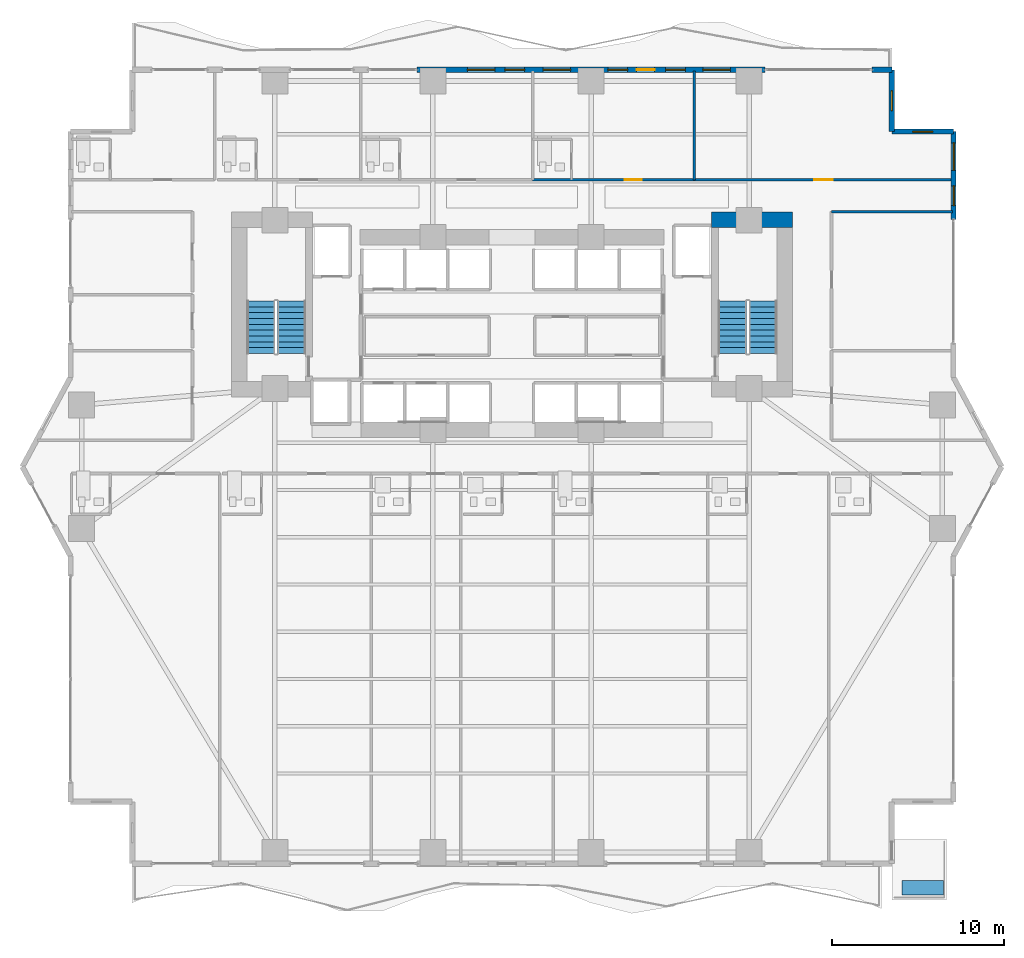
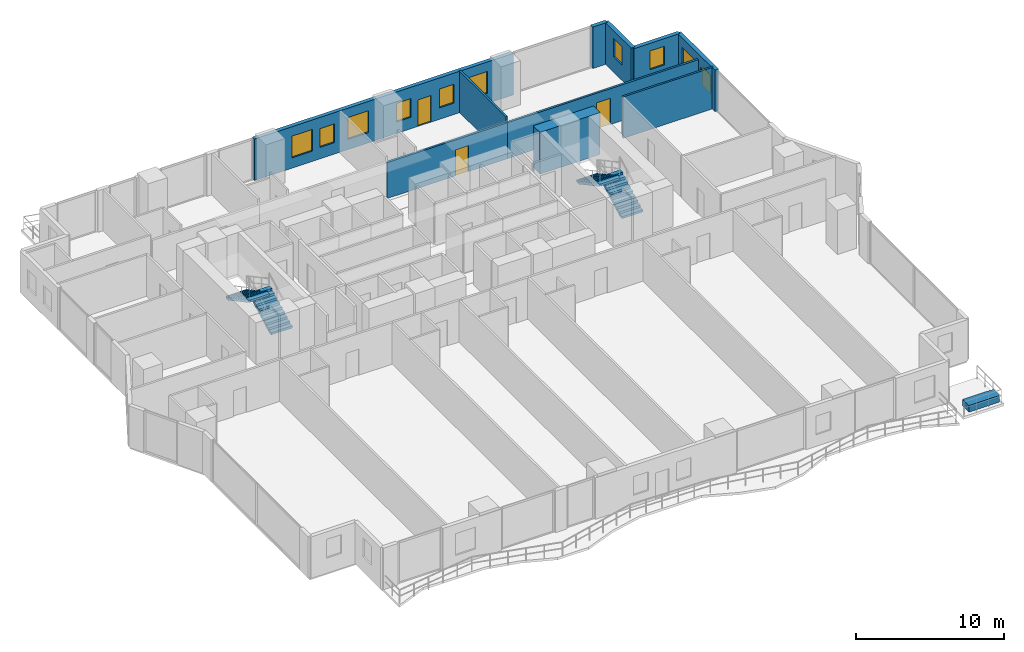
# One storey, part 22 of 29: 10 walls, 10 windows, 4 stair flights, 3 doors, 1 building element part, 13 openings, 2 elements without a shape of their own.
"""IFC4 building model written with IfcOpenShell, lengths in metres."""

import ifcopenshell
import ifcopenshell.guid

model = None  # the IFC model being written
_history = None  # IfcOwnerHistory: only IFC2X3 demands one
_inside = {}  # id of a spatial element -> (the spatial element, [elements in it])
_under = {}  # id of a project, library or spatial element -> (it, [spatial elements below it])
_declared = {}  # id of a project -> (the project, [libraries it declares])
_typed = {}  # id of a type object -> (the type object, [elements of that type])
_made_of = {}  # id of a material, layer set ... -> (it, [elements and type objects made of it])


def new_model(schema):
    """Start an empty IFC model of exactly this schema.

    Asked for "IFC4X3", IfcOpenShell would pick the latest addendum, in which some entities
    have other attributes; the version numbers below select the first issue.
    IFC2X3 requires an IfcOwnerHistory on every rooted entity: one is made here for all.
    """
    global model, _history
    if schema == "IFC4X3":
        model = ifcopenshell.file(schema_version=(4, 3, 0, 0))
    else:
        model = ifcopenshell.file(schema=schema)
    _inside.clear()
    _under.clear()
    _declared.clear()
    _typed.clear()
    _made_of.clear()
    _history = None
    if model.schema == "IFC2X3":
        org = make("IfcOrganization", Name="unknown")
        user = make(
            "IfcPersonAndOrganization",
            ThePerson=make("IfcPerson", FamilyName="unknown"),
            TheOrganization=org,
        )
        app = make(
            "IfcApplication",
            ApplicationDeveloper=org,
            Version="unknown",
            ApplicationFullName="unknown",
            ApplicationIdentifier="unknown",
        )
        _history = make(
            "IfcOwnerHistory",
            OwningUser=user,
            OwningApplication=app,
            ChangeAction="ADDED",
            CreationDate=0,
        )
    return model


def make(cls, **values):
    """One entity of the class cls with the attributes given. An attribute that is None is left unset."""
    return model.create_entity(
        cls, **{name: value for name, value in values.items() if value is not None}
    )


def rooted(cls, **values):
    """An entity with a GlobalId (a new one), such as an element, a storey or a relation."""
    return make(cls, GlobalId=ifcopenshell.guid.new(), OwnerHistory=_history, **values)


def si_unit(unit_type, name, prefix=None):
    """IfcSIUnit, for example si_unit("LENGTHUNIT", "METRE", prefix="MILLI")."""
    return make("IfcSIUnit", UnitType=unit_type, Prefix=prefix, Name=name)


def assignment(units):
    """IfcUnitAssignment: the units of a project."""
    return None if units is None else make("IfcUnitAssignment", Units=units)


def point(xyz):
    """IfcCartesianPoint."""
    return None if xyz is None else make("IfcCartesianPoint", Coordinates=xyz)


def direction(xyz):
    """IfcDirection."""
    return None if xyz is None else make("IfcDirection", DirectionRatios=xyz)


def frame(location, z_axis=None, x_axis=None):
    """IfcAxis2Placement3D, a coordinate frame: its origin and axes. An axis left out is left unset."""
    return make(
        "IfcAxis2Placement3D",
        Location=point(location),
        Axis=direction(z_axis),
        RefDirection=direction(x_axis),
    )


def frame_2d(location, x_axis=None):
    """IfcAxis2Placement2D, a coordinate frame in the plane: its origin and x axis."""
    return make(
        "IfcAxis2Placement2D", Location=point(location), RefDirection=direction(x_axis)
    )


def origin():
    """The frame at (0, 0, 0) with its axes left unset."""
    return frame((0.0, 0.0, 0.0))


def origin_2d():
    """The frame at (0, 0) in the plane with its x axis left unset."""
    return frame_2d((0.0, 0.0))


def place(relative_to, where):
    """IfcLocalPlacement: puts the frame where relative to a parent placement (None: the world)."""
    return make(
        "IfcLocalPlacement", PlacementRelTo=relative_to, RelativePlacement=where
    )


def context(
    kind, dimensions, precision=None, world=None, true_north=None, identifier=None
):
    """IfcGeometricRepresentationContext, for example the 3D "Model" context."""
    return make(
        "IfcGeometricRepresentationContext",
        ContextIdentifier=identifier,
        ContextType=kind,
        CoordinateSpaceDimension=dimensions,
        Precision=precision,
        WorldCoordinateSystem=world,
        TrueNorth=true_north,
    )


def subcontext(parent, identifier, kind, view, scale=None):
    """IfcGeometricRepresentationSubContext, for example "Body" below "Model"."""
    return make(
        "IfcGeometricRepresentationSubContext",
        ContextIdentifier=identifier,
        ContextType=kind,
        ParentContext=parent,
        TargetScale=scale,
        TargetView=view,
    )


def project(units=None, contexts=None):
    """IfcProject with its units and contexts."""
    return rooted(
        "IfcProject",
        Name="project",
        RepresentationContexts=contexts,
        UnitsInContext=assignment(units),
    )


def spatial(cls, under=None, at=None, **own):
    """A site, building, storey or space (cls), placed at a placement, below another one or the project."""
    s = rooted(cls, ObjectPlacement=at, **own)
    if under is not None:
        _under.setdefault(under.id(), (under, []))[1].append(s)
    return s


def polyline(points):
    """IfcPolyline through the points."""
    return make("IfcPolyline", Points=[point(p) for p in points])


def profile(cls, at=None, kind="AREA", **sizes):
    """A parametric profile (cls). Its sizes go by their IFC names, for example OverallWidth=200.0."""
    return make(cls, ProfileType=kind, Position=at, **sizes)


def rectangle(**sizes):
    """IfcRectangleProfileDef."""
    return profile("IfcRectangleProfileDef", **sizes)


def outline(outer, holes=None, kind="AREA"):
    """IfcArbitraryClosedProfileDef: a profile drawn as a closed curve; with holes, ...WithVoids."""
    if holes is None:
        return make("IfcArbitraryClosedProfileDef", ProfileType=kind, OuterCurve=outer)
    return make(
        "IfcArbitraryProfileDefWithVoids",
        ProfileType=kind,
        OuterCurve=outer,
        InnerCurves=holes,
    )


def extrude(swept, where, along, depth):
    """IfcExtrudedAreaSolid: the profile swept, set in the frame where, extruded along a direction by depth."""
    return make(
        "IfcExtrudedAreaSolid",
        SweptArea=swept,
        Position=where,
        ExtrudedDirection=direction(along),
        Depth=depth,
    )


def shape(context_of_items, identifier, shape_type, items):
    """IfcShapeRepresentation: the items that make up one representation, for example the "Body"."""
    return make(
        "IfcShapeRepresentation",
        ContextOfItems=context_of_items,
        RepresentationIdentifier=identifier,
        RepresentationType=shape_type,
        Items=items,
    )


def material(Name=None, Category=None):
    """IfcMaterial."""
    return make("IfcMaterial", Name=Name, Category=Category)


def layer(
    of_material, thickness, ventilated=None, Name=None, Category=None, Priority=None
):
    """IfcMaterialLayer: one layer of a wall or slab, of a material (None: an air gap)."""
    return make(
        "IfcMaterialLayer",
        Material=of_material,
        LayerThickness=thickness,
        IsVentilated=ventilated,
        Name=Name,
        Category=Category,
        Priority=Priority,
    )


def layer_set(layers, Name=None):
    """IfcMaterialLayerSet."""
    return make("IfcMaterialLayerSet", MaterialLayers=layers, LayerSetName=Name)


def made_of(thing, what):
    """Note that an element or type object is made of a material, layer set ...; save() writes the relation."""
    if what is not None:
        _made_of.setdefault(what.id(), (what, []))[1].append(thing)
    return thing


def type_object(cls, material=None, **own):
    """A type object (cls), such as IfcWallType, which elements share."""
    return made_of(rooted(cls, **own), material)


def element(
    cls,
    number,
    at=None,
    inside=None,
    cuts=None,
    type_object=None,
    material=None,
    context=None,
    identifier="Body",
    shape_type=None,
    held_by="IfcProductDefinitionShape",
    body=None,
    shapes=None,
    **own,
):
    """One element of the class cls, such as IfcWall. Its Tag is "e" and its number.

    at: its placement. inside: the storey or other place that contains it. cuts: it is an
    opening in that element (IfcRelVoidsElement). A single representation is given by context,
    identifier, shape_type and body (its items); several are given by shapes. held_by: the class
    of the entity that holds the representations. save() writes the other relations.
    """
    e = rooted(cls, Tag="e%d" % number, ObjectPlacement=at, **own)
    if body is not None:
        shapes = [shape(context, identifier, shape_type, body)]
    if shapes is not None:
        e.Representation = make(held_by, Representations=shapes)
    if inside is not None:
        _inside.setdefault(inside.id(), (inside, []))[1].append(e)
    if cuts is not None:
        rooted(
            "IfcRelVoidsElement", RelatingBuildingElement=cuts, RelatedOpeningElement=e
        )
    if type_object is not None:
        _typed.setdefault(type_object.id(), (type_object, []))[1].append(e)
    return made_of(e, material)


def fill(opening, filler):
    """IfcRelFillsElement: the door or window that sits in an opening."""
    return rooted(
        "IfcRelFillsElement",
        RelatingOpeningElement=opening,
        RelatedBuildingElement=filler,
    )


def aggregate(whole, parts):
    """IfcRelAggregates: a whole, such as a stair, and the parts it consists of."""
    return rooted("IfcRelAggregates", RelatingObject=whole, RelatedObjects=parts)


def save(model, path):
    """Write the relations noted so far, then the file.

    IfcRelAggregates (storeys below a building ...), IfcRelContainedInSpatialStructure (elements
    in a storey), IfcRelDefinesByType, IfcRelAssociatesMaterial and IfcRelDeclares: one each for
    every whole, place, type object, material and project.
    """
    for whole, parts in _under.values():
        aggregate(whole, parts)
    for where, things in _inside.values():
        rooted(
            "IfcRelContainedInSpatialStructure",
            RelatedElements=things,
            RelatingStructure=where,
        )
    for kind, things in _typed.values():
        rooted("IfcRelDefinesByType", RelatedObjects=things, RelatingType=kind)
    for what, things in _made_of.values():
        rooted("IfcRelAssociatesMaterial", RelatedObjects=things, RelatingMaterial=what)
    for by, libraries in _declared.values():
        rooted("IfcRelDeclares", RelatingContext=by, RelatedDefinitions=libraries)
    model.write(path)


model = new_model("IFC4")

# Units and contexts
model_context = context("Model", 3, precision=1e-05, world=origin(), true_north=direction((0.0, 1.0)))
body_context = subcontext(model_context, "Body", "Model", "MODEL_VIEW")
ifc_project = project(units=[si_unit("LENGTHUNIT", "METRE"), si_unit("AREAUNIT", "SQUARE_METRE"), si_unit("VOLUMEUNIT", "CUBIC_METRE"), si_unit("PLANEANGLEUNIT", "RADIAN"), si_unit("MASSUNIT", "GRAM", prefix="KILO")], contexts=[model_context])

# Site, building, storey
site_placement = place(None, origin())
site = spatial("IfcSite", under=ifc_project, at=site_placement, CompositionType="ELEMENT")
building_placement = place(site_placement, origin())
building = spatial("IfcBuilding", under=site, at=building_placement, Name="Zuhayl Quay Hotel", CompositionType="ELEMENT")
storey_placement = place(building_placement, frame((0.0, 0.0, 45.85009765625)))
storey = spatial("IfcBuildingStorey", under=building, at=storey_placement, Name="L10", CompositionType="ELEMENT", Elevation=45.85009765625)

# Wall
ifc_material_1 = material(Name="Concrete C70/85", Category="concrete")
ifc_layer_1 = layer(ifc_material_1, 0.89990234375, Name="Concrete C70/85", Category="concrete")
ifc_layer_set_1 = layer_set([ifc_layer_1], Name="Concrete C70/85")
wall_type_1 = type_object("IfcWallType", Name="WL_CORE_900", PredefinedType="SHEAR", material=ifc_layer_set_1)
wall_1_placement = place(storey_placement, frame((11.60009765625, 14.3798828125, 0.0), z_axis=(0.0, 0.0, 1.0), x_axis=(1.0, 0.0, 0.0)))
element("IfcWall", 1, at=wall_1_placement, inside=storey, type_object=wall_type_1, Name="L10 Core Shear Wall CW_NE", PredefinedType="SHEAR", context=body_context, shape_type="SweptSolid", body=[
    extrude(rectangle(XDim=4.7099609375, YDim=0.89990234375, at=frame_2d((2.35498046875, 0.0))), origin(), (0.0, 0.0, 1.0), 3.4599609375),
])

# Wall, openings, door, windows
ifc_material_2 = material(Name="Precast concrete C45/55", Category="concrete")
ifc_layer_2 = layer(ifc_material_2, 0.300048828125, Name="Precast concrete C45/55", Category="concrete")
ifc_layer_set_2 = layer_set([ifc_layer_2], Name="Precast concrete C45/55")
wall_type_2 = type_object("IfcWallType", Name="WL_EXT_300", PredefinedType="STANDARD", material=ifc_layer_set_2)
wall_2_placement = place(storey_placement, frame((-5.52001953125, 23.10009765625, 0.0), z_axis=(0.0, 0.0, 1.0), x_axis=(1.0, 0.0, 0.0)))
wall_2 = element("IfcWall", 2, at=wall_2_placement, inside=storey, type_object=wall_type_2, Name="L10 Exterior Precast Wall ENV_L10_N_EW5", PredefinedType="STANDARD", context=body_context, shape_type="SweptSolid", body=[
    extrude(rectangle(XDim=20.239990234375, YDim=0.300048828125, at=frame_2d((10.1201171875, 0.0))), origin(), (0.0, 0.0, 1.0), 3.429931640625),
])
opening_1_placement = place(wall_2_placement, frame((12.77490234375, 0.0, 0.0)))
opening_1 = element("IfcOpeningElement", 3, at=opening_1_placement, cuts=wall_2, Name="Opening DG1", PredefinedType="OPENING", context=body_context, shape_type="SweptSolid", body=[
    extrude(rectangle(XDim=1.050048828125, YDim=2.199951171875, at=frame_2d((0.52490234375, 1.10009765625))), frame((0.0, 0.159912109375, 0.0), z_axis=(0.0, -1.0, 0.0), x_axis=(1.0, 0.0, 0.0)), (0.0, 0.0, 1.0), 0.320068359375),
])
opening_2_placement = place(wall_2_placement, frame((2.919921875, 0.0, 0.85009765625)))
opening_2 = element("IfcOpeningElement", 4, at=opening_2_placement, cuts=wall_2, Name="Opening W01", PredefinedType="OPENING", context=body_context, shape_type="SweptSolid", body=[
    extrude(rectangle(XDim=1.60009765625, YDim=1.800048828125, at=frame_2d((0.800048828125, 0.89990234375))), frame((0.0, 0.159912109375, 0.0), z_axis=(0.0, -1.0, 0.0), x_axis=(1.0, 0.0, 0.0)), (0.0, 0.0, 1.0), 0.320068359375),
])
opening_3_placement = place(wall_2_placement, frame((5.110107421875, 0.0, 0.949951171875)))
opening_3 = element("IfcOpeningElement", 5, at=opening_3_placement, cuts=wall_2, Name="Opening W01N", PredefinedType="OPENING", context=body_context, shape_type="SweptSolid", body=[
    extrude(rectangle(XDim=1.14990234375, YDim=1.550048828125, at=frame_2d((0.574951171875, 0.77490234375))), frame((0.0, 0.159912109375, 0.0), z_axis=(0.0, -1.0, 0.0), x_axis=(1.0, 0.0, 0.0)), (0.0, 0.0, 1.0), 0.320068359375),
])
opening_4_placement = place(wall_2_placement, frame((7.330078125, 0.0, 0.85009765625)))
opening_4 = element("IfcOpeningElement", 6, at=opening_4_placement, cuts=wall_2, Name="Opening W01", PredefinedType="OPENING", context=body_context, shape_type="SweptSolid", body=[
    extrude(rectangle(XDim=1.60009765625, YDim=1.800048828125, at=frame_2d((0.800048828125, 0.89990234375))), frame((0.0, 0.159912109375, 0.0), z_axis=(0.0, -1.0, 0.0), x_axis=(1.0, 0.0, 0.0)), (0.0, 0.0, 1.0), 0.320068359375),
])
opening_5_placement = place(wall_2_placement, frame((11.097412109375, 0.0, 0.949951171875)))
opening_5 = element("IfcOpeningElement", 7, at=opening_5_placement, cuts=wall_2, Name="Opening W01N", PredefinedType="OPENING", context=body_context, shape_type="SweptSolid", body=[
    extrude(rectangle(XDim=1.14990234375, YDim=1.550048828125, at=frame_2d((0.574951171875, 0.77490234375))), frame((0.0, 0.159912109375, 0.0), z_axis=(0.0, -1.0, 0.0), x_axis=(1.0, 0.0, 0.0)), (0.0, 0.0, 1.0), 0.320068359375),
])
opening_6_placement = place(wall_2_placement, frame((14.46240234375, 0.0, 0.949951171875)))
opening_6 = element("IfcOpeningElement", 8, at=opening_6_placement, cuts=wall_2, Name="Opening W01N", PredefinedType="OPENING", context=body_context, shape_type="SweptSolid", body=[
    extrude(rectangle(XDim=1.14990234375, YDim=1.550048828125, at=frame_2d((0.574951171875, 0.77490234375))), frame((0.0, 0.159912109375, 0.0), z_axis=(0.0, -1.0, 0.0), x_axis=(1.0, 0.0, 0.0)), (0.0, 0.0, 1.0), 0.320068359375),
])
opening_7_placement = place(wall_2_placement, frame((16.6298828125, 0.0, 0.85009765625)))
opening_7 = element("IfcOpeningElement", 9, at=opening_7_placement, cuts=wall_2, Name="Opening W01", PredefinedType="OPENING", context=body_context, shape_type="SweptSolid", body=[
    extrude(rectangle(XDim=1.60009765625, YDim=1.800048828125, at=frame_2d((0.800048828125, 0.89990234375))), frame((0.0, 0.159912109375, 0.0), z_axis=(0.0, -1.0, 0.0), x_axis=(1.0, 0.0, 0.0)), (0.0, 0.0, 1.0), 0.320068359375),
])
ifc_material_3 = material(Name="Anodised Aluminium and Dark Solar Glass", Category="aluminium")
door_type_1 = type_object("IfcDoorType", Name="DR_EXT_TERR_1050", OperationType="NOTDEFINED", PredefinedType="DOOR", material=ifc_material_3)
door_1_placement = place(opening_1_placement, origin())
door_1 = element("IfcDoor", 10, at=door_1_placement, inside=storey, type_object=door_type_1, Name="L10 North Rippling Balcony Door", OperationType="SINGLE_SWING_LEFT", OverallHeight=2.199951171875, OverallWidth=1.050048828125, PredefinedType="DOOR", context=body_context, shape_type="SweptSolid", body=[
    extrude(rectangle(XDim=1.050048828125, YDim=2.199951171875, at=frame_2d((0.52490234375, 1.10009765625))), frame((0.0, 0.02490234375, 0.0), z_axis=(0.0, -1.0, 0.0), x_axis=(1.0, 0.0, 0.0)), (0.0, 0.0, 1.0), 0.050048828125),
])
fill(opening_1, door_1)
ifc_material_4 = material(Name="Dark Ceramic-Fritted Solar Glass", Category="glass")
window_type_1 = type_object("IfcWindowType", Name="WN_NOTCH_1350", PartitioningType="SINGLE_PANEL", PredefinedType="WINDOW", material=ifc_material_4)
window_1_placement = place(opening_3_placement, origin())
window_1 = element("IfcWindow", 11, at=window_1_placement, inside=storey, type_object=window_type_1, Name="L10 Operable Facade Window 5-1", OverallHeight=1.550048828125, OverallWidth=1.14990234375, PartitioningType="SINGLE_PANEL", PredefinedType="WINDOW", context=body_context, shape_type="SweptSolid", body=[
    extrude(rectangle(XDim=1.14990234375, YDim=1.550048828125, at=frame_2d((0.574951171875, 0.77490234375))), frame((0.0, 0.030029296875, 0.0), z_axis=(0.0, -1.0, 0.0), x_axis=(1.0, 0.0, 0.0)), (0.0, 0.0, 1.0), 0.06005859375),
])
fill(opening_3, window_1)
window_2_placement = place(opening_5_placement, origin())
window_2 = element("IfcWindow", 12, at=window_2_placement, inside=storey, type_object=window_type_1, Name="L10 Operable Facade Window 5-3", OverallHeight=1.550048828125, OverallWidth=1.14990234375, PartitioningType="SINGLE_PANEL", PredefinedType="WINDOW", context=body_context, shape_type="SweptSolid", body=[
    extrude(rectangle(XDim=1.14990234375, YDim=1.550048828125, at=frame_2d((0.574951171875, 0.77490234375))), frame((0.0, 0.030029296875, 0.0), z_axis=(0.0, -1.0, 0.0), x_axis=(1.0, 0.0, 0.0)), (0.0, 0.0, 1.0), 0.06005859375),
])
fill(opening_5, window_2)
window_3_placement = place(opening_6_placement, origin())
window_3 = element("IfcWindow", 13, at=window_3_placement, inside=storey, type_object=window_type_1, Name="L10 Operable Facade Window 5-4", OverallHeight=1.550048828125, OverallWidth=1.14990234375, PartitioningType="SINGLE_PANEL", PredefinedType="WINDOW", context=body_context, shape_type="SweptSolid", body=[
    extrude(rectangle(XDim=1.14990234375, YDim=1.550048828125, at=frame_2d((0.574951171875, 0.77490234375))), frame((0.0, 0.030029296875, 0.0), z_axis=(0.0, -1.0, 0.0), x_axis=(1.0, 0.0, 0.0)), (0.0, 0.0, 1.0), 0.06005859375),
])
fill(opening_6, window_3)
window_type_2 = type_object("IfcWindowType", Name="WN_OPERABLE_1600", PartitioningType="DOUBLE_PANEL_VERTICAL", PredefinedType="WINDOW", material=ifc_material_4)
window_4_placement = place(opening_2_placement, origin())
window_4 = element("IfcWindow", 14, at=window_4_placement, inside=storey, type_object=window_type_2, Name="L10 North Operable Casement Window", OverallHeight=1.800048828125, OverallWidth=1.60009765625, PartitioningType="SINGLE_PANEL", PredefinedType="WINDOW", context=body_context, shape_type="SweptSolid", body=[
    extrude(rectangle(XDim=1.60009765625, YDim=1.800048828125, at=frame_2d((0.800048828125, 0.89990234375))), frame((0.0, 0.030029296875, 0.0), z_axis=(0.0, -1.0, 0.0), x_axis=(1.0, 0.0, 0.0)), (0.0, 0.0, 1.0), 0.06005859375),
])
fill(opening_2, window_4)
window_5_placement = place(opening_4_placement, origin())
window_5 = element("IfcWindow", 15, at=window_5_placement, inside=storey, type_object=window_type_2, Name="L10 Operable Facade Window 5-2", OverallHeight=1.800048828125, OverallWidth=1.60009765625, PartitioningType="SINGLE_PANEL", PredefinedType="WINDOW", context=body_context, shape_type="SweptSolid", body=[
    extrude(rectangle(XDim=1.60009765625, YDim=1.800048828125, at=frame_2d((0.800048828125, 0.89990234375))), frame((0.0, 0.030029296875, 0.0), z_axis=(0.0, -1.0, 0.0), x_axis=(1.0, 0.0, 0.0)), (0.0, 0.0, 1.0), 0.06005859375),
])
fill(opening_4, window_5)
window_6_placement = place(opening_7_placement, origin())
window_6 = element("IfcWindow", 16, at=window_6_placement, inside=storey, type_object=window_type_2, Name="L10 Operable Facade Window 5-5", OverallHeight=1.800048828125, OverallWidth=1.60009765625, PartitioningType="SINGLE_PANEL", PredefinedType="WINDOW", context=body_context, shape_type="SweptSolid", body=[
    extrude(rectangle(XDim=1.60009765625, YDim=1.800048828125, at=frame_2d((0.800048828125, 0.89990234375))), frame((0.0, 0.030029296875, 0.0), z_axis=(0.0, -1.0, 0.0), x_axis=(1.0, 0.0, 0.0)), (0.0, 0.0, 1.0), 0.06005859375),
])
fill(opening_7, window_6)

# Wall
wall_3_placement = place(storey_placement, frame((20.949951171875, 23.10009765625, 0.0), z_axis=(0.0, 0.0, 1.0), x_axis=(1.0, 0.0, 0.0)))
element("IfcWall", 17, at=wall_3_placement, inside=storey, type_object=wall_type_2, Name="L10 Exterior Precast Wall ENV_L10_N_EW6", PredefinedType="STANDARD", context=body_context, shape_type="SweptSolid", body=[
    extrude(rectangle(XDim=1.150146484375, YDim=0.300048828125, at=frame_2d((0.5751953125, 0.0))), origin(), (0.0, 0.0, 1.0), 3.429931640625),
])

# Wall, opening, window
wall_4_placement = place(storey_placement, frame((22.10009765625, 23.10009765625, 0.0), z_axis=(0.0, 0.0, 1.0), x_axis=(0.0, -1.0, 0.0)))
wall_4 = element("IfcWall", 18, at=wall_4_placement, inside=storey, type_object=wall_type_2, Name="L10 Exterior Precast Wall ENV_L10_EW09", PredefinedType="STANDARD", context=body_context, shape_type="SweptSolid", body=[
    extrude(rectangle(XDim=3.60009765625, YDim=0.300048828125, at=frame_2d((1.800048828125, 0.0))), origin(), (0.0, 0.0, 1.0), 3.429931640625),
])
opening_8_placement = place(wall_4_placement, frame((1.22509765625, 0.0, 1.25)))
opening_8 = element("IfcOpeningElement", 19, at=opening_8_placement, cuts=wall_4, Name="Opening W01N", PredefinedType="OPENING", context=body_context, shape_type="SweptSolid", body=[
    extrude(rectangle(XDim=1.14990234375, YDim=1.550048828125, at=frame_2d((0.574951171875, 0.77490234375))), frame((0.0, 0.159912109375, 0.0), z_axis=(0.0, -1.0, 0.0), x_axis=(1.0, 0.0, 0.0)), (0.0, 0.0, 1.0), 0.320068359375),
])
window_7_placement = place(opening_8_placement, origin())
window_7 = element("IfcWindow", 20, at=window_7_placement, inside=storey, type_object=window_type_1, Name="L10 Corner Notch Window 9", OverallHeight=1.550048828125, OverallWidth=1.14990234375, PartitioningType="SINGLE_PANEL", PredefinedType="WINDOW", context=body_context, shape_type="SweptSolid", body=[
    extrude(rectangle(XDim=1.14990234375, YDim=1.550048828125, at=frame_2d((0.574951171875, 0.77490234375))), frame((0.0, 0.030029296875, 0.0), z_axis=(0.0, -1.0, 0.0), x_axis=(1.0, 0.0, 0.0)), (0.0, 0.0, 1.0), 0.06005859375),
])
fill(opening_8, window_7)

wall_5_placement = place(storey_placement, frame((22.10009765625, 19.5, 0.0), z_axis=(0.0, 0.0, 1.0), x_axis=(1.0, 0.0, 0.0)))
wall_5 = element("IfcWall", 21, at=wall_5_placement, inside=storey, type_object=wall_type_2, Name="L10 Exterior Precast Wall ENV_L10_EW10", PredefinedType="STANDARD", context=body_context, shape_type="SweptSolid", body=[
    extrude(rectangle(XDim=3.599853515625, YDim=0.300048828125, at=frame_2d((1.7998046875, 0.0))), origin(), (0.0, 0.0, 1.0), 3.429931640625),
])
opening_9_placement = place(wall_5_placement, frame((1.22509765625, 0.0, 1.25)))
opening_9 = element("IfcOpeningElement", 22, at=opening_9_placement, cuts=wall_5, Name="Opening W01N", PredefinedType="OPENING", context=body_context, shape_type="SweptSolid", body=[
    extrude(rectangle(XDim=1.14990234375, YDim=1.550048828125, at=frame_2d((0.574951171875, 0.77490234375))), frame((0.0, 0.159912109375, 0.0), z_axis=(0.0, -1.0, 0.0), x_axis=(1.0, 0.0, 0.0)), (0.0, 0.0, 1.0), 0.320068359375),
])
window_8_placement = place(opening_9_placement, origin())
window_8 = element("IfcWindow", 23, at=window_8_placement, inside=storey, type_object=window_type_1, Name="L10 Corner Notch Window 10", OverallHeight=1.550048828125, OverallWidth=1.14990234375, PartitioningType="SINGLE_PANEL", PredefinedType="WINDOW", context=body_context, shape_type="SweptSolid", body=[
    extrude(rectangle(XDim=1.14990234375, YDim=1.550048828125, at=frame_2d((0.574951171875, 0.77490234375))), frame((0.0, 0.030029296875, 0.0), z_axis=(0.0, -1.0, 0.0), x_axis=(1.0, 0.0, 0.0)), (0.0, 0.0, 1.0), 0.06005859375),
])
fill(opening_9, window_8)

# Wall, openings, windows
wall_6_placement = place(storey_placement, frame((25.699951171875, 19.5, 0.0), z_axis=(0.0, 0.0, 1.0), x_axis=(0.0, -1.0, 0.0)))
wall_6 = element("IfcWall", 24, at=wall_6_placement, inside=storey, type_object=wall_type_2, Name="L10 Exterior Precast Wall ENV_L10_E11_EW1", PredefinedType="STANDARD", context=body_context, shape_type="SweptSolid", body=[
    extrude(rectangle(XDim=5.10009765625, YDim=0.300048828125, at=frame_2d((2.550048828125, 0.0))), origin(), (0.0, 0.0, 1.0), 3.429931640625),
])
opening_10_placement = place(wall_6_placement, frame((0.659912109375, 0.0, 0.85009765625)))
opening_10 = element("IfcOpeningElement", 25, at=opening_10_placement, cuts=wall_6, Name="Opening W01", PredefinedType="OPENING", context=body_context, shape_type="SweptSolid", body=[
    extrude(rectangle(XDim=1.60009765625, YDim=1.800048828125, at=frame_2d((0.800048828125, 0.89990234375))), frame((0.0, 0.159912109375, 0.0), z_axis=(0.0, -1.0, 0.0), x_axis=(1.0, 0.0, 0.0)), (0.0, 0.0, 1.0), 0.320068359375),
])
opening_11_placement = place(wall_6_placement, frame((3.14990234375, 0.0, 0.949951171875)))
opening_11 = element("IfcOpeningElement", 26, at=opening_11_placement, cuts=wall_6, Name="Opening W01N", PredefinedType="OPENING", context=body_context, shape_type="SweptSolid", body=[
    extrude(rectangle(XDim=1.14990234375, YDim=1.550048828125, at=frame_2d((0.574951171875, 0.77490234375))), frame((0.0, 0.159912109375, 0.0), z_axis=(0.0, -1.0, 0.0), x_axis=(1.0, 0.0, 0.0)), (0.0, 0.0, 1.0), 0.320068359375),
])
window_9_placement = place(opening_11_placement, origin())
window_9 = element("IfcWindow", 27, at=window_9_placement, inside=storey, type_object=window_type_1, Name="L10 Operable Facade Window 1-2", OverallHeight=1.550048828125, OverallWidth=1.14990234375, PartitioningType="SINGLE_PANEL", PredefinedType="WINDOW", context=body_context, shape_type="SweptSolid", body=[
    extrude(rectangle(XDim=1.14990234375, YDim=1.550048828125, at=frame_2d((0.574951171875, 0.77490234375))), frame((0.0, 0.030029296875, 0.0), z_axis=(0.0, -1.0, 0.0), x_axis=(1.0, 0.0, 0.0)), (0.0, 0.0, 1.0), 0.06005859375),
])
fill(opening_11, window_9)
window_10_placement = place(opening_10_placement, origin())
window_10 = element("IfcWindow", 28, at=window_10_placement, inside=storey, type_object=window_type_2, Name="L10 Operable Facade Window 1-1", OverallHeight=1.800048828125, OverallWidth=1.60009765625, PartitioningType="SINGLE_PANEL", PredefinedType="WINDOW", context=body_context, shape_type="SweptSolid", body=[
    extrude(rectangle(XDim=1.60009765625, YDim=1.800048828125, at=frame_2d((0.800048828125, 0.89990234375))), frame((0.0, 0.030029296875, 0.0), z_axis=(0.0, -1.0, 0.0), x_axis=(1.0, 0.0, 0.0)), (0.0, 0.0, 1.0), 0.06005859375),
])
fill(opening_10, window_10)

# Walls
ifc_material_5 = material(Name="Acoustic Gypsum Partition STC-58")
ifc_layer_3 = layer(ifc_material_5, 0.14990234375, Name="Acoustic Gypsum Partition STC-58")
ifc_layer_set_3 = layer_set([ifc_layer_3], Name="Acoustic Gypsum Partition STC-58")
wall_type_3 = type_object("IfcWallType", Name="WL_PART_150", PredefinedType="PARTITIONING", material=ifc_layer_set_3)
wall_7_placement = place(storey_placement, frame((10.60009765625, 16.699951171875, 0.0), z_axis=(0.0, 0.0, 1.0), x_axis=(0.0, 1.0, 0.0)))
element("IfcWall", 29, at=wall_7_placement, inside=storey, type_object=wall_type_3, Name="L10 Partition IW_L10_NU03_E", PredefinedType="PARTITIONING", context=body_context, shape_type="SweptSolid", body=[
    extrude(rectangle(XDim=6.320068359375, YDim=0.14990234375, at=frame_2d((3.16015625, 0.0))), origin(), (0.0, 0.0, 1.0), 3.429931640625),
])
wall_8_placement = place(storey_placement, frame((18.60009765625, 14.85009765625, 0.0), z_axis=(0.0, 0.0, 1.0), x_axis=(1.0, 0.0, 0.0)))
element("IfcWall", 30, at=wall_8_placement, inside=storey, type_object=wall_type_3, Name="L10 Partition IW_L10_EFLK_2_N", PredefinedType="PARTITIONING", context=body_context, shape_type="SweptSolid", body=[
    extrude(rectangle(XDim=7.039794921875, YDim=0.14990234375, at=frame_2d((3.52001953125, 0.0))), origin(), (0.0, 0.0, 1.0), 3.429931640625),
])

# Wall, opening, door
ifc_layer_4 = layer(ifc_material_5, 0.159912109375, Name="Acoustic Gypsum Partition STC-58")
ifc_layer_set_4 = layer_set([ifc_layer_4], Name="Acoustic Gypsum Partition STC-58")
wall_type_4 = type_object("IfcWallType", Name="WL_PART_CORR_160", PredefinedType="PARTITIONING", material=ifc_layer_set_4)
wall_9_placement = place(storey_placement, frame((1.199951171875, 16.699951171875, 0.0), z_axis=(0.0, 0.0, 1.0), x_axis=(1.0, 0.0, 0.0)))
wall_9 = element("IfcWall", 31, at=wall_9_placement, inside=storey, type_object=wall_type_4, Name="L10 Partition IW_L10_NU03_COR", PredefinedType="PARTITIONING", context=body_context, shape_type="SweptSolid", body=[
    extrude(rectangle(XDim=9.400146484375, YDim=0.159912109375, at=frame_2d((4.7001953125, 0.0))), origin(), (0.0, 0.0, 1.0), 2.972900390625),
])
opening_12_placement = place(wall_9_placement, frame((5.35009765625, 0.0, 0.0)))
opening_12 = element("IfcOpeningElement", 32, at=opening_12_placement, cuts=wall_9, Name="Opening D03L", PredefinedType="OPENING", context=body_context, shape_type="SweptSolid", body=[
    extrude(rectangle(XDim=1.0, YDim=2.14990234375, at=frame_2d((0.5, 1.074951171875))), frame((0.0, 0.08984375, 0.0), z_axis=(0.0, -1.0, 0.0), x_axis=(1.0, 0.0, 0.0)), (0.0, 0.0, 1.0), 0.179931640625),
])
ifc_material_6 = material(Name="Solid Walnut Acoustic Fire Door")
door_type_2 = type_object("IfcDoorType", Name="DR_SUITE_1000", OperationType="NOTDEFINED", PredefinedType="DOOR", material=ifc_material_6)
door_2_placement = place(opening_12_placement, origin())
door_2 = element("IfcDoor", 33, at=door_2_placement, inside=storey, type_object=door_type_2, Name="L10 Deluxe Gulf Guest Room L10-03 Entrance Door", OperationType="SINGLE_SWING_LEFT", OverallHeight=2.14990234375, OverallWidth=1.0, PredefinedType="DOOR", context=body_context, shape_type="SweptSolid", body=[
    extrude(rectangle(XDim=1.0, YDim=2.14990234375, at=frame_2d((0.5, 1.074951171875))), frame((0.0, 0.02490234375, 0.0), z_axis=(0.0, -1.0, 0.0), x_axis=(1.0, 0.0, 0.0)), (0.0, 0.0, 1.0), 0.050048828125),
])
fill(opening_12, door_2)

wall_10_placement = place(storey_placement, frame((10.60009765625, 16.699951171875, 0.0), z_axis=(0.0, 0.0, 1.0), x_axis=(1.0, 0.0, 0.0)))
wall_10 = element("IfcWall", 34, at=wall_10_placement, inside=storey, type_object=wall_type_4, Name="L10 Partition IW_L10_NSAL_3_S", PredefinedType="PARTITIONING", context=body_context, shape_type="SweptSolid", body=[
    extrude(rectangle(XDim=15.039794921875, YDim=0.159912109375, at=frame_2d((7.52001953125, 0.0))), origin(), (0.0, 0.0, 1.0), 2.972900390625),
])
opening_13_placement = place(wall_10_placement, frame((6.97998046875, 0.0, 0.0)))
opening_13 = element("IfcOpeningElement", 35, at=opening_13_placement, cuts=wall_10, Name="Opening D05A", PredefinedType="OPENING", context=body_context, shape_type="SweptSolid", body=[
    extrude(rectangle(XDim=1.080078125, YDim=2.179931640625, at=frame_2d((0.5400390625, 1.08984375))), frame((0.0, 0.08984375, 0.0), z_axis=(0.0, -1.0, 0.0), x_axis=(1.0, 0.0, 0.0)), (0.0, 0.0, 1.0), 0.179931640625),
])
door_type_3 = type_object("IfcDoorType", Name="DR_INT_1100", OperationType="NOTDEFINED", PredefinedType="DOOR", material=ifc_material_6)
door_3_placement = place(opening_13_placement, origin())
door_3 = element("IfcDoor", 36, at=door_3_placement, inside=storey, type_object=door_type_3, Name="L10 Quay Boardroom Door", OperationType="SINGLE_SWING_RIGHT", OverallHeight=2.179931640625, OverallWidth=1.080078125, PredefinedType="DOOR", context=body_context, shape_type="SweptSolid", body=[
    extrude(rectangle(XDim=1.080078125, YDim=2.179931640625, at=frame_2d((0.5400390625, 1.08984375))), frame((0.0, 0.02490234375, 0.0), z_axis=(0.0, -1.0, 0.0), x_axis=(1.0, 0.0, 0.0)), (0.0, 0.0, 1.0), 0.050048828125),
])
fill(opening_13, door_3)

# Stair, stair flights
ifc_material_7 = material(Name="Concrete C45/55", Category="concrete")
stair_type = type_object("IfcStairType", Name="ST_DOGLEG_TOWER", PredefinedType="HALF_TURN_STAIR", material=ifc_material_7)
stair_1_placement = place(storey_placement, origin())
stair_1 = element("IfcStair", 37, at=stair_1_placement, inside=storey, type_object=stair_type, Name="L10 Smokeproof Exit Stair ST1", PredefinedType="HALF_TURN_STAIR")
ifc_layer_5 = layer(ifc_material_7, 0.159912109375, Name="Concrete C45/55", Category="concrete")
ifc_layer_set_5 = layer_set([ifc_layer_5], Name="Concrete C45/55")
stair_flight_type = type_object("IfcStairFlightType", Name="SF_CONC_164", PredefinedType="STRAIGHT", material=ifc_layer_set_5)
stair_flight_1_placement = place(storey_placement, frame((-12.820068359375, 6.590087890625, 0.0), z_axis=(0.0, 0.0, 1.0), x_axis=(0.0, 1.0, 0.0)))
stair_flight_1 = element("IfcStairFlight", 38, at=stair_flight_1_placement, type_object=stair_flight_type, Name="ST1 flight 1", NumberOfRisers=10, NumberOfTreads=9, PredefinedType="STRAIGHT", RiserHeight=0.1825, TreadLength=0.34, context=body_context, shape_type="SweptSolid", body=[
    extrude(outline(polyline([(0.0, 0.0), (0.0, 0.1826171875), (0.340087890625, 0.1826171875), (0.340087890625, 0.364990234375), (0.679931640625, 0.364990234375), (0.679931640625, 0.547607421875), (1.02001953125, 0.547607421875), (1.02001953125, 0.72998046875), (1.360107421875, 0.72998046875), (1.360107421875, 0.91259765625), (1.699951171875, 0.91259765625), (1.699951171875, 1.094970703125), (2.0400390625, 1.094970703125), (2.0400390625, 1.277587890625), (2.3798828125, 1.277587890625), (2.3798828125, 1.4599609375), (2.719970703125, 1.4599609375), (2.719970703125, 1.642578125), (3.06005859375, 1.642578125), (3.06005859375, 1.824951171875), (3.06005859375, 1.472412109375), (0.31689453125, 0.0), (0.0, 0.0)])), frame((0.0, 0.81982421875, 0.0), z_axis=(0.0, -1.0, 0.0), x_axis=(1.0, 0.0, 0.0)), (0.0, 0.0, 1.0), 1.639892578125),
])
stair_flight_2_placement = place(storey_placement, frame((-14.610107421875, 9.64990234375, 1.824951171875), z_axis=(0.0, 0.0, 1.0), x_axis=(0.0, -1.0, 0.0)))
stair_flight_2 = element("IfcStairFlight", 39, at=stair_flight_2_placement, type_object=stair_flight_type, Name="ST1 flight 2", NumberOfRisers=10, NumberOfTreads=9, PredefinedType="STRAIGHT", RiserHeight=0.1825, TreadLength=0.34, context=body_context, shape_type="SweptSolid", body=[
    extrude(outline(polyline([(0.0, 0.0), (0.0, 0.1826171875), (0.340087890625, 0.1826171875), (0.340087890625, 0.364990234375), (0.679931640625, 0.364990234375), (0.679931640625, 0.547607421875), (1.02001953125, 0.547607421875), (1.02001953125, 0.72998046875), (1.360107421875, 0.72998046875), (1.360107421875, 0.91259765625), (1.699951171875, 0.91259765625), (1.699951171875, 1.094970703125), (2.0400390625, 1.094970703125), (2.0400390625, 1.277587890625), (2.3798828125, 1.277587890625), (2.3798828125, 1.4599609375), (2.719970703125, 1.4599609375), (2.719970703125, 1.642578125), (3.06005859375, 1.642578125), (3.06005859375, 1.824951171875), (3.06005859375, 1.472412109375), (0.31689453125, 0.0), (0.0, 0.0)])), frame((0.0, 0.81982421875, 0.0), z_axis=(0.0, -1.0, 0.0), x_axis=(1.0, 0.0, 0.0)), (0.0, 0.0, 1.0), 1.639892578125),
])
aggregate(stair_1, [stair_flight_1, stair_flight_2])

stair_2_placement = place(storey_placement, origin())
stair_2 = element("IfcStair", 40, at=stair_2_placement, inside=storey, type_object=stair_type, Name="L10 Smokeproof Exit Stair ST2", PredefinedType="HALF_TURN_STAIR")
stair_flight_3_placement = place(storey_placement, frame((14.610107421875, 6.590087890625, 0.0), z_axis=(0.0, 0.0, 1.0), x_axis=(0.0, 1.0, 0.0)))
stair_flight_3 = element("IfcStairFlight", 41, at=stair_flight_3_placement, type_object=stair_flight_type, Name="ST2 flight 1", NumberOfRisers=10, NumberOfTreads=9, PredefinedType="STRAIGHT", RiserHeight=0.1825, TreadLength=0.34, context=body_context, shape_type="SweptSolid", body=[
    extrude(outline(polyline([(0.0, 0.0), (0.0, 0.1826171875), (0.340087890625, 0.1826171875), (0.340087890625, 0.364990234375), (0.679931640625, 0.364990234375), (0.679931640625, 0.547607421875), (1.02001953125, 0.547607421875), (1.02001953125, 0.72998046875), (1.360107421875, 0.72998046875), (1.360107421875, 0.91259765625), (1.699951171875, 0.91259765625), (1.699951171875, 1.094970703125), (2.0400390625, 1.094970703125), (2.0400390625, 1.277587890625), (2.3798828125, 1.277587890625), (2.3798828125, 1.4599609375), (2.719970703125, 1.4599609375), (2.719970703125, 1.642578125), (3.06005859375, 1.642578125), (3.06005859375, 1.824951171875), (3.06005859375, 1.472412109375), (0.31689453125, 0.0), (0.0, 0.0)])), frame((0.0, 0.81982421875, 0.0), z_axis=(0.0, -1.0, 0.0), x_axis=(1.0, 0.0, 0.0)), (0.0, 0.0, 1.0), 1.639892578125),
])
stair_flight_4_placement = place(storey_placement, frame((12.820068359375, 9.64990234375, 1.824951171875), z_axis=(0.0, 0.0, 1.0), x_axis=(0.0, -1.0, 0.0)))
stair_flight_4 = element("IfcStairFlight", 42, at=stair_flight_4_placement, type_object=stair_flight_type, Name="ST2 flight 2", NumberOfRisers=10, NumberOfTreads=9, PredefinedType="STRAIGHT", RiserHeight=0.1825, TreadLength=0.34, context=body_context, shape_type="SweptSolid", body=[
    extrude(outline(polyline([(0.0, 0.0), (0.0, 0.1826171875), (0.340087890625, 0.1826171875), (0.340087890625, 0.364990234375), (0.679931640625, 0.364990234375), (0.679931640625, 0.547607421875), (1.02001953125, 0.547607421875), (1.02001953125, 0.72998046875), (1.360107421875, 0.72998046875), (1.360107421875, 0.91259765625), (1.699951171875, 0.91259765625), (1.699951171875, 1.094970703125), (2.0400390625, 1.094970703125), (2.0400390625, 1.277587890625), (2.3798828125, 1.277587890625), (2.3798828125, 1.4599609375), (2.719970703125, 1.4599609375), (2.719970703125, 1.642578125), (3.06005859375, 1.642578125), (3.06005859375, 1.824951171875), (3.06005859375, 1.472412109375), (0.31689453125, 0.0), (0.0, 0.0)])), frame((0.0, 0.81982421875, 0.0), z_axis=(0.0, -1.0, 0.0), x_axis=(1.0, 0.0, 0.0)), (0.0, 0.0, 1.0), 1.639892578125),
])
aggregate(stair_2, [stair_flight_3, stair_flight_4])

# Building element part
ifc_layer_6 = layer(ifc_material_2, 0.550048828125, Name="Precast concrete C45/55", Category="concrete")
ifc_layer_set_6 = layer_set([ifc_layer_6], Name="Precast concrete C45/55")
building_element_part_type = type_object("IfcBuildingElementPartType", Name="PT_PLANTER_KERB", PredefinedType="PRECASTPANEL", material=ifc_layer_set_6)
building_element_part_placement = place(storey_placement, frame((23.909912109375, -24.510009765625, 0.0), z_axis=(0.0, 0.0, 1.0), x_axis=(1.0, 0.0, 0.0)))
element("IfcBuildingElementPart", 43, at=building_element_part_placement, inside=storey, type_object=building_element_part_type, Name="L10 Spiral Sky-Terrace Planter Box SE", PredefinedType="PRECASTPANEL", context=body_context, shape_type="SweptSolid", body=[
    extrude(rectangle(XDim=2.39990234375, YDim=0.85009765625, at=origin_2d()), origin(), (0.0, 0.0, 1.0), 0.550048828125),
])

save(model, "model.ifc")
